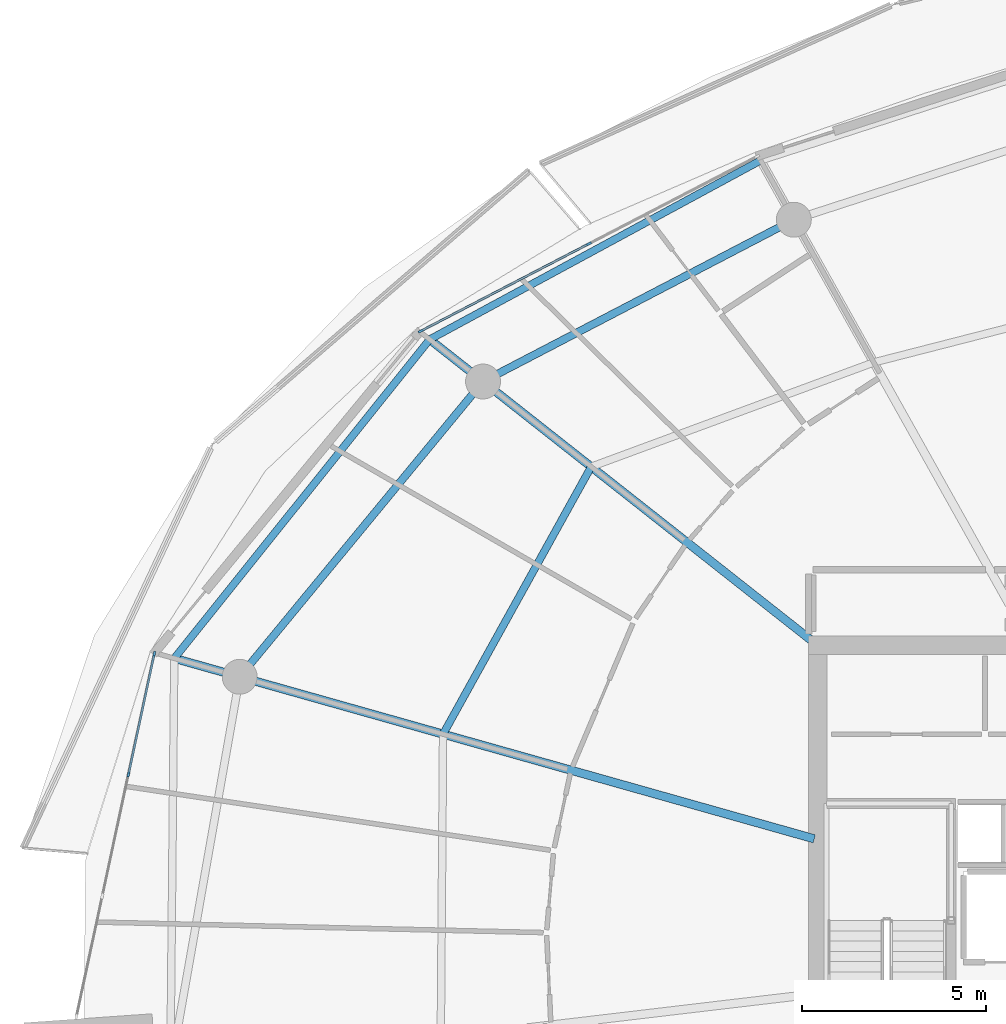
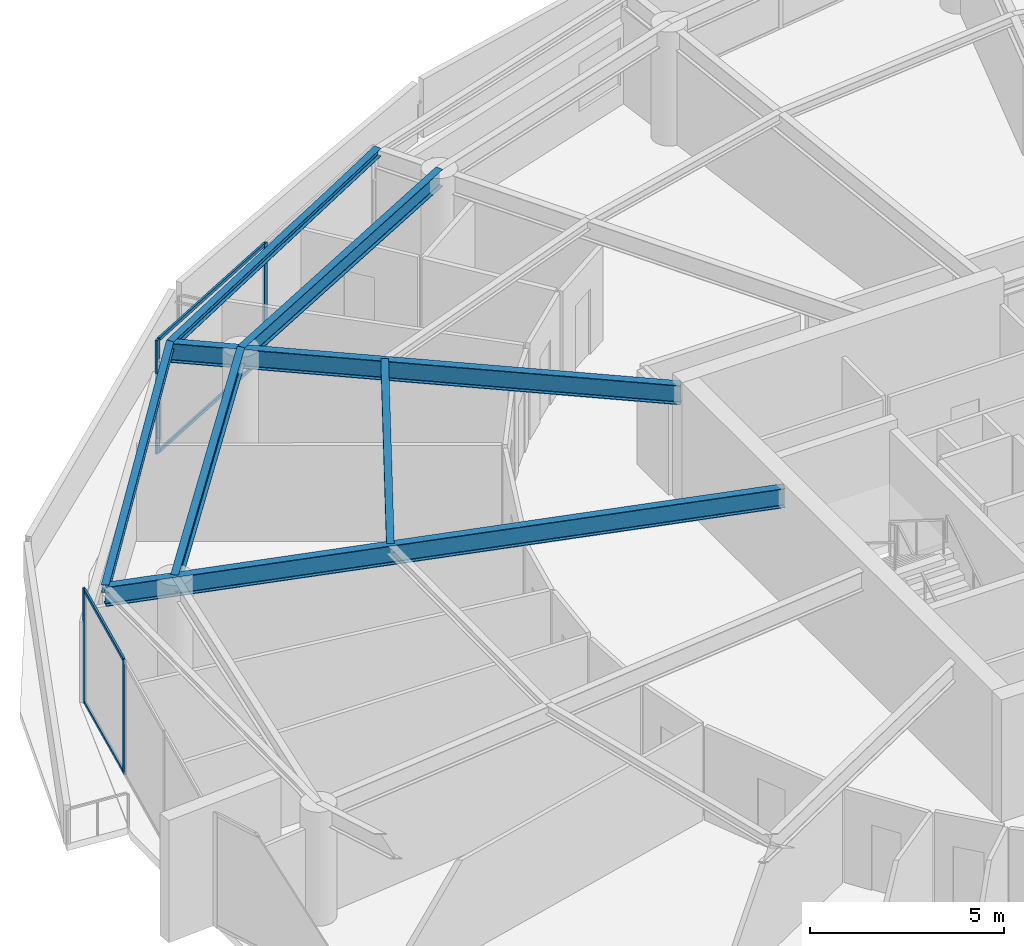
# One storey, part 12 of 30: 8 members, 7 beams, 2 elements without a shape of their own.
"""IFC4 building model written with IfcOpenShell, lengths in metres."""

from ifc_helpers import new_model, si_unit, direction, frame, origin, origin_2d, place, context, subcontext, project, spatial, rectangle, i_section, extrude, material, layer, layer_set, material_profile, profile_set, type_object, element, aggregate, save


model = new_model("IFC4")

# Units and contexts
model_context = context("Model", 3, precision=1e-05, world=origin(), true_north=direction((0.0, 1.0)))
body_context = subcontext(model_context, "Body", "Model", "MODEL_VIEW")
ifc_project = project(units=[si_unit("LENGTHUNIT", "METRE"), si_unit("AREAUNIT", "SQUARE_METRE"), si_unit("VOLUMEUNIT", "CUBIC_METRE"), si_unit("PLANEANGLEUNIT", "RADIAN"), si_unit("MASSUNIT", "GRAM", prefix="KILO")], contexts=[model_context])

# Site, building, storey
site_placement = place(None, origin())
site = spatial("IfcSite", under=ifc_project, at=site_placement, CompositionType="ELEMENT")
building_placement = place(site_placement, origin())
building = spatial("IfcBuilding", under=site, at=building_placement, Name="Kazma Halo Residences", CompositionType="ELEMENT")
storey_placement = place(building_placement, frame((0.0, 0.0, 279.050048828125)))
storey = spatial("IfcBuildingStorey", under=building, at=storey_placement, Name="L70", CompositionType="ELEMENT", Elevation=279.050048828125)

# Beams
ifc_material_1 = material(Name="Steel S355", Category="steel")
ifc_material_profile_1 = material_profile(ifc_material_1, i_section(OverallWidth=0.201904296875, OverallDepth=0.2470703125, WebThickness=0.00732421875, FlangeThickness=0.010986328125, FilletRadius=0.011962890625, at=origin_2d()), Name="W250x49.1")
ifc_profile_set_1 = profile_set([ifc_material_profile_1], Name="Steel S355")
beam_type_1 = type_object("IfcBeamType", Name="BM-BAL-CANT", PredefinedType="BEAM", material=ifc_profile_set_1)
beam_1_placement = place(storey_placement, frame((35.990478515625, 63.444580078125, 3.466552734375), z_axis=(-0.879517282036, -0.475866946321, 0.0), x_axis=(0.475866946321, -0.879517282036, 0.0)))
element("IfcBeam", 1, at=beam_1_placement, inside=storey, type_object=beam_type_1, Name="L70 wave-balcony tie beam 05", PredefinedType="BEAM", context=body_context, shape_type="SweptSolid", body=[
    extrude(i_section(OverallWidth=0.201904296875, OverallDepth=0.2470703125, WebThickness=0.00732421875, FlangeThickness=0.010986328125, FilletRadius=0.011962890625, at=origin_2d()), origin(), (0.0, 0.0, 1.0), 10.243408203125),
])
beam_2_placement = place(storey_placement, frame((26.981201171875, 58.570068359375, 3.466552734375), z_axis=(-0.625117912406, -0.780530329705, 0.0), x_axis=(0.780530329705, -0.625117912406, 0.0)))
element("IfcBeam", 2, at=beam_2_placement, inside=storey, type_object=beam_type_1, Name="L70 wave-balcony tie beam 06", PredefinedType="BEAM", context=body_context, shape_type="SweptSolid", body=[
    extrude(i_section(OverallWidth=0.201904296875, OverallDepth=0.2470703125, WebThickness=0.00732421875, FlangeThickness=0.010986328125, FilletRadius=0.011962890625, at=origin_2d()), origin(), (0.0, 0.0, 1.0), 11.1220703125),
])
ifc_material_profile_2 = material_profile(ifc_material_1, i_section(OverallWidth=0.22802734375, OverallDepth=0.60791015625, WebThickness=0.01123046875, FlangeThickness=0.017333984375, FilletRadius=0.01806640625, at=origin_2d()), Name="W610x113")
ifc_profile_set_2 = profile_set([ifc_material_profile_2], Name="Steel S355")
beam_type_2 = type_object("IfcBeamType", Name="BM-RAD-W610", PredefinedType="BEAM", material=ifc_profile_set_2)
beam_3_placement = place(storey_placement, frame((37.449951171875, 50.31689453125, 3.285888671875), z_axis=(-0.785306836423, 0.619106753854, 0.0), x_axis=(-0.619106753854, -0.785306836423, 0.0)))
element("IfcBeam", 3, at=beam_3_placement, inside=storey, type_object=beam_type_2, Name="L70 radial floor beam 06", PredefinedType="BEAM", context=body_context, shape_type="SweptSolid", body=[
    extrude(i_section(OverallWidth=0.22802734375, OverallDepth=0.60791015625, WebThickness=0.01123046875, FlangeThickness=0.017333984375, FilletRadius=0.01806640625, at=origin_2d()), origin(), (0.0, 0.0, 1.0), 13.330810546875),
])
beam_4_placement = place(storey_placement, frame((37.449951171875, 44.975341796875, 3.285888671875), z_axis=(-0.962451844494, 0.271452476559, 0.0), x_axis=(-0.271452476559, -0.962451844494, 0.0)))
element("IfcBeam", 4, at=beam_4_placement, inside=storey, type_object=beam_type_2, Name="L70 radial floor beam 07", PredefinedType="BEAM", context=body_context, shape_type="SweptSolid", body=[
    extrude(i_section(OverallWidth=0.22802734375, OverallDepth=0.60791015625, WebThickness=0.01123046875, FlangeThickness=0.017333984375, FilletRadius=0.01806640625, at=origin_2d()), origin(), (0.0, 0.0, 1.0), 18.10107421875),
])
ifc_material_profile_3 = material_profile(ifc_material_1, i_section(OverallWidth=0.202880859375, OverallDepth=0.302978515625, WebThickness=0.007568359375, FlangeThickness=0.01318359375, FilletRadius=0.013916015625, at=origin_2d()), Name="W310x60")
ifc_profile_set_3 = profile_set([ifc_material_profile_3], Name="Steel S355")
beam_type_3 = type_object("IfcBeamType", Name="BM-SEC-W310A", PredefinedType="JOIST", material=ifc_profile_set_3)
beam_5_placement = place(storey_placement, frame((31.3779296875, 55.103759765625, 3.4384765625), z_axis=(-0.484616234235, -0.874726874811, 0.0), x_axis=(0.874726874811, -0.484616234235, 0.0)))
element("IfcBeam", 5, at=beam_5_placement, inside=storey, type_object=beam_type_3, Name="L70 circumferential floor joist 06", PredefinedType="JOIST", context=body_context, shape_type="SweptSolid", body=[
    extrude(i_section(OverallWidth=0.202880859375, OverallDepth=0.302978515625, WebThickness=0.007568359375, FlangeThickness=0.01318359375, FilletRadius=0.013916015625, at=origin_2d()), origin(), (0.0, 0.0, 1.0), 8.321044921875),
])
ifc_material_profile_4 = material_profile(ifc_material_1, i_section(OverallWidth=0.208984375, OverallDepth=0.532958984375, WebThickness=0.01025390625, FlangeThickness=0.015625, FilletRadius=0.01611328125, at=origin_2d()), Name="W530x92")
ifc_profile_set_4 = profile_set([ifc_material_profile_4], Name="Steel S355")
beam_type_4 = type_object("IfcBeamType", Name="BM-SPN-W530", PredefinedType="BEAM", material=ifc_profile_set_4)
beam_6_placement = place(storey_placement, frame((36.89453125, 61.830322265625, 3.323486328125), z_axis=(-0.886961047115, -0.461844238788, 0.0), x_axis=(0.461844238788, -0.886961047115, 0.0)))
element("IfcBeam", 6, at=beam_6_placement, inside=storey, type_object=beam_type_4, Name="L70 perimeter ring beam 05", PredefinedType="BEAM", context=body_context, shape_type="SweptSolid", body=[
    extrude(i_section(OverallWidth=0.208984375, OverallDepth=0.532958984375, WebThickness=0.01025390625, FlangeThickness=0.015625, FilletRadius=0.01611328125, at=origin_2d()), origin(), (0.0, 0.0, 1.0), 9.5390625),
])
beam_7_placement = place(storey_placement, frame((28.433837890625, 57.4248046875, 3.323486328125), z_axis=(-0.636002144225, -0.771687289348, 0.0), x_axis=(0.771687289348, -0.636002144225, 0.0)))
element("IfcBeam", 7, at=beam_7_placement, inside=storey, type_object=beam_type_4, Name="L70 perimeter ring beam 06", PredefinedType="BEAM", context=body_context, shape_type="SweptSolid", body=[
    extrude(i_section(OverallWidth=0.208984375, OverallDepth=0.532958984375, WebThickness=0.01025390625, FlangeThickness=0.015625, FilletRadius=0.01611328125, at=origin_2d()), origin(), (0.0, 0.0, 1.0), 10.416259765625),
])

# Curtain wall, members
ifc_material_2 = material(Name="Aluminium AW-6063 T6 and Triple-Silver Low-E Glass", Category="aluminium")
ifc_layer = layer(ifc_material_2, 0.139892578125)
ifc_layer_set = layer_set([ifc_layer], Name="Aluminium AW-6063 T6 and Triple-Silver Low-E Glass")
curtain_wall_type = type_object("IfcCurtainWallType", Name="CW-SYS-5", PredefinedType="NOTDEFINED", material=ifc_layer_set)
curtain_wall_1_placement = place(storey_placement, origin())
curtain_wall_1 = element("IfcCurtainWall", 8, at=curtain_wall_1_placement, inside=storey, type_object=curtain_wall_type, Name="L70 unitised curtain wall B05", PredefinedType="NOTDEFINED")
ifc_material_3 = material(Name="Aluminium AW-6063 T6", Category="aluminium")
ifc_material_profile_5 = material_profile(ifc_material_3, rectangle(XDim=0.06005859375, YDim=0.139892578125, at=origin_2d()), Name="CWM-60x140")
ifc_profile_set_5 = profile_set([ifc_material_profile_5], Name="Aluminium AW-6063 T6")
member_type_1 = type_object("IfcMemberType", Name="CW-SYS-5-MUL", PredefinedType="MULLION", material=ifc_profile_set_5)
member_1_placement = place(storey_placement, frame((31.31591796875, 61.175537109375, 0.0), z_axis=(0.0, 0.0, 1.0), x_axis=(0.460960760804, -0.887420518694, 0.0)))
member_1 = element("IfcMember", 9, at=member_1_placement, type_object=member_type_1, Name="CWS-5 mullion 2", PredefinedType="MULLION", context=body_context, shape_type="SweptSolid", body=[
    extrude(rectangle(XDim=0.06005859375, YDim=0.139892578125, at=origin_2d()), origin(), (0.0, 0.0, 1.0), 3.58984375),
])
member_2_placement = place(storey_placement, frame((26.737060546875, 58.797119140625, 0.0), z_axis=(0.0, 0.0, 1.0), x_axis=(0.460960760804, -0.887420518694, 0.0)))
member_2 = element("IfcMember", 10, at=member_2_placement, type_object=member_type_1, Name="CWS-5 mullion 3", PredefinedType="MULLION", context=body_context, shape_type="SweptSolid", body=[
    extrude(rectangle(XDim=0.06005859375, YDim=0.139892578125, at=origin_2d()), origin(), (0.0, 0.0, 1.0), 3.58984375),
])

curtain_wall_2_placement = place(storey_placement, origin())
curtain_wall_2 = element("IfcCurtainWall", 11, at=curtain_wall_2_placement, inside=storey, type_object=curtain_wall_type, Name="L70 unitised curtain wall B07", PredefinedType="NOTDEFINED")
member_3_placement = place(storey_placement, frame((19.485107421875, 50.010986328125, 0.0), z_axis=(0.0, 0.0, 1.0), x_axis=(0.97777491373, -0.209657382603, 0.0)))
member_3 = element("IfcMember", 12, at=member_3_placement, type_object=member_type_1, Name="CWS-5 mullion 1", PredefinedType="MULLION", context=body_context, shape_type="SweptSolid", body=[
    extrude(rectangle(XDim=0.06005859375, YDim=0.139892578125, at=origin_2d()), origin(), (0.0, 0.0, 1.0), 3.58984375),
])
member_4_placement = place(storey_placement, frame((18.781005859375, 46.7265625, 0.0), z_axis=(0.0, 0.0, 1.0), x_axis=(0.97777491373, -0.209657382603, 0.0)))
member_4 = element("IfcMember", 13, at=member_4_placement, type_object=member_type_1, Name="CWS-5 mullion 2", PredefinedType="MULLION", context=body_context, shape_type="SweptSolid", body=[
    extrude(rectangle(XDim=0.06005859375, YDim=0.139892578125, at=origin_2d()), origin(), (0.0, 0.0, 1.0), 3.58984375),
])

# Member
ifc_material_profile_6 = material_profile(ifc_material_3, rectangle(XDim=0.06005859375, YDim=0.10498046875, at=origin_2d()), Name="CWT-60x105")
ifc_profile_set_6 = profile_set([ifc_material_profile_6], Name="Aluminium AW-6063 T6")
member_type_2 = type_object("IfcMemberType", Name="CW-SYS-5-TRN", PredefinedType="USERDEFINED", material=ifc_profile_set_6)
member_5_placement = place(storey_placement, frame((31.289306640625, 61.16162109375, 0.030029296875), z_axis=(-0.887436955863, -0.46092911534, 0.0), x_axis=(0.46092911534, -0.887436955863, 0.0)))
member_5 = element("IfcMember", 14, at=member_5_placement, type_object=member_type_2, Name="CWS-5 transom 2.1", ObjectType="TRANSOM", PredefinedType="USERDEFINED", context=body_context, shape_type="SweptSolid", body=[
    extrude(rectangle(XDim=0.06005859375, YDim=0.10498046875, at=origin_2d()), origin(), (0.0, 0.0, 1.0), 5.099609375),
])

member_6_placement = place(storey_placement, frame((31.289306640625, 61.16162109375, 3.56005859375), z_axis=(-0.887436955863, -0.46092911534, 0.0), x_axis=(0.46092911534, -0.887436955863, 0.0)))
member_6 = element("IfcMember", 15, at=member_6_placement, type_object=member_type_2, Name="CWS-5 transom 2.2", ObjectType="TRANSOM", PredefinedType="USERDEFINED", context=body_context, shape_type="SweptSolid", body=[
    extrude(rectangle(XDim=0.06005859375, YDim=0.10498046875, at=origin_2d()), origin(), (0.0, 0.0, 1.0), 5.099609375),
])

aggregate(curtain_wall_1, [member_1, member_2, member_5, member_6])

member_7_placement = place(storey_placement, frame((19.47900390625, 49.9814453125, 0.030029296875), z_axis=(-0.209660493552, -0.977774246666, 0.0), x_axis=(0.977774246666, -0.209660493552, 0.0)))
member_7 = element("IfcMember", 16, at=member_7_placement, type_object=member_type_2, Name="CWS-5 transom 1.1", ObjectType="TRANSOM", PredefinedType="USERDEFINED", context=body_context, shape_type="SweptSolid", body=[
    extrude(rectangle(XDim=0.06005859375, YDim=0.10498046875, at=origin_2d()), origin(), (0.0, 0.0, 1.0), 3.298828125),
])

member_8_placement = place(storey_placement, frame((19.47900390625, 49.9814453125, 3.56005859375), z_axis=(-0.209660493552, -0.977774246666, 0.0), x_axis=(0.977774246666, -0.209660493552, 0.0)))
member_8 = element("IfcMember", 17, at=member_8_placement, type_object=member_type_2, Name="CWS-5 transom 1.2", ObjectType="TRANSOM", PredefinedType="USERDEFINED", context=body_context, shape_type="SweptSolid", body=[
    extrude(rectangle(XDim=0.06005859375, YDim=0.10498046875, at=origin_2d()), origin(), (0.0, 0.0, 1.0), 3.298828125),
])

aggregate(curtain_wall_2, [member_3, member_4, member_7, member_8])

save(model, "model.ifc")
